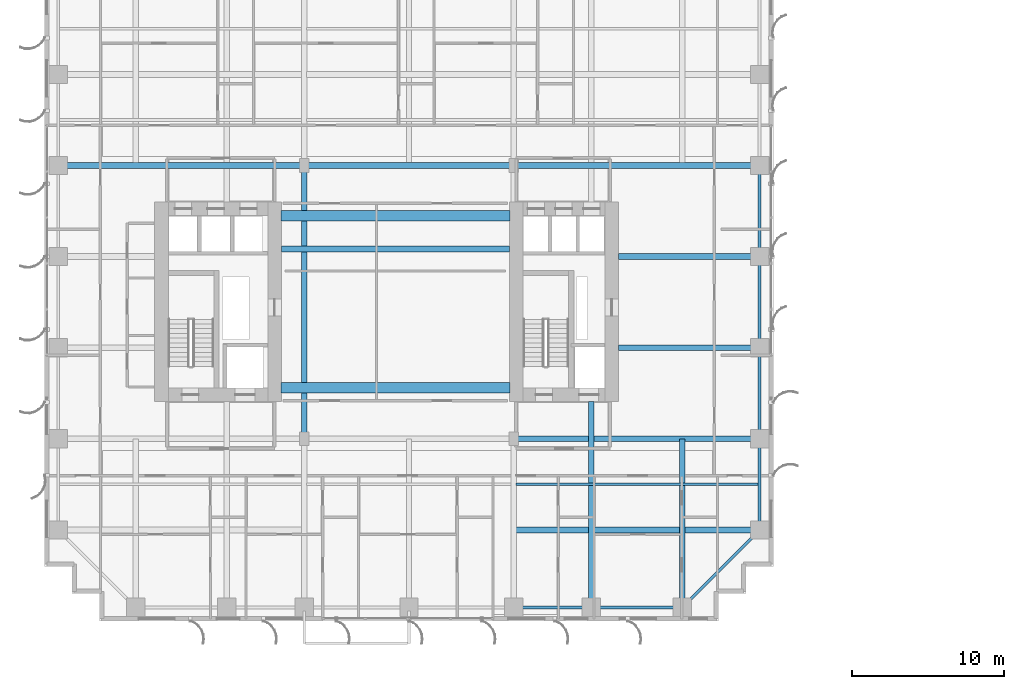
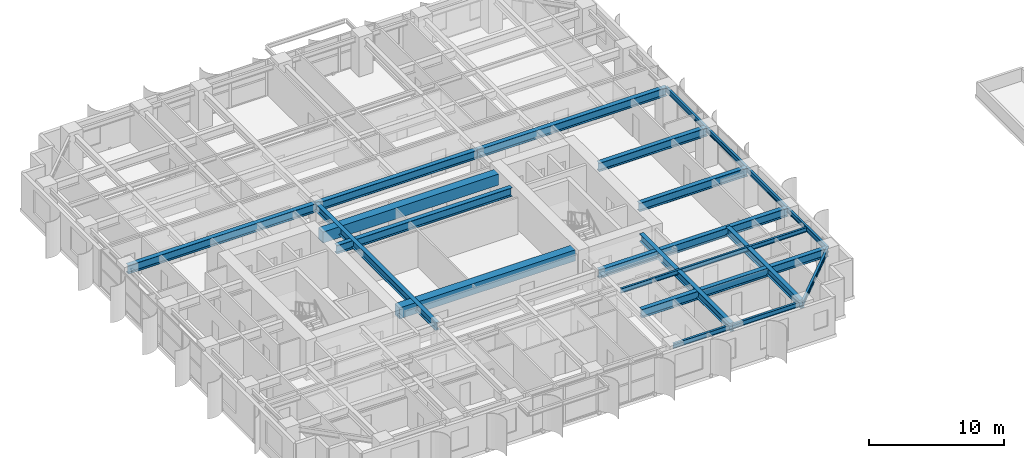
# One storey, part 6 of 26: 21 beams.
"""IFC4 building model written with IfcOpenShell, lengths in metres."""

from ifc_helpers import new_model, si_unit, direction, frame, origin, origin_2d, place, context, subcontext, project, spatial, rectangle, i_section, extrude, source, transform, mapped, material, material_profile, profile_set, type_object, element, save


model = new_model("IFC4")

# Units and contexts
model_context = context("Model", 3, precision=1e-05, world=origin(), true_north=direction((0.0, 1.0)))
body_context = subcontext(model_context, "Body", "Model", "MODEL_VIEW")
ifc_project = project(units=[si_unit("LENGTHUNIT", "METRE"), si_unit("AREAUNIT", "SQUARE_METRE"), si_unit("VOLUMEUNIT", "CUBIC_METRE"), si_unit("PLANEANGLEUNIT", "RADIAN"), si_unit("MASSUNIT", "GRAM", prefix="KILO")], contexts=[model_context])

# Site, building, storey
site_placement = place(None, origin())
site = spatial("IfcSite", under=ifc_project, at=site_placement, CompositionType="ELEMENT")
building_placement = place(site_placement, origin())
building = spatial("IfcBuilding", under=site, at=building_placement, Name="Khoralis Quay Care Tower", CompositionType="ELEMENT")
storey_placement = place(building_placement, frame((0.0, 0.0, 26.10009765625)))
storey = spatial("IfcBuildingStorey", under=building, at=storey_placement, Name="L06", CompositionType="ELEMENT", Elevation=26.10009765625)

# Beams
ifc_material_1 = material(Name="Concrete C80/95", Category="concrete")
ifc_material_profile_1 = material_profile(ifc_material_1, rectangle(XDim=0.699951171875, YDim=1.0, at=origin_2d()), Name="Concrete C80/95")
ifc_profile_set_1 = profile_set([ifc_material_profile_1], Name="Concrete C80/95")
beam_type_1 = type_object("IfcBeamType", Name="CB-RC700X1000", PredefinedType="LINTEL", material=ifc_profile_set_1)
shared_shape_1 = source(origin(), body_context, "Body", "SweptSolid", [
    extrude(rectangle(XDim=0.699951171875, YDim=1.0, at=origin_2d()), origin(), (0.0, 0.0, 1.0), 15.079833984375),
])
for number, where, z_axis, x_axis, name in (
    (1, (15.570068359375, 15.35009765625, 2.81982421875), (1.0, 0.0, 0.0), (0.0, 1.0, 0.0), "L06 South Core Coupling Lintel"),
    (2, (15.570068359375, 26.699951171875, 2.81982421875), (1.0, 0.0, 0.0), (0.0, 1.0, 0.0), "L06 North Core Coupling Lintel"),
):
    element("IfcBeam", number, at=place(storey_placement, frame(where, z_axis=z_axis, x_axis=x_axis)), inside=storey, type_object=beam_type_1, Name=name, PredefinedType="LINTEL", context=body_context, shape_type="MappedRepresentation", body=[
        mapped(shared_shape_1, transform((0.0, 0.0, 0.0), scale=1.0)),
    ])
ifc_material_2 = material(Name="Steel S355", Category="steel")
ifc_material_profile_2 = material_profile(ifc_material_2, i_section(OverallWidth=0.18994140625, OverallDepth=0.449951171875, WebThickness=0.009521484375, FlangeThickness=0.0146484375, FilletRadius=0.02099609375, at=origin_2d()), Name="Steel S355")
ifc_profile_set_2 = profile_set([ifc_material_profile_2], Name="Steel S355")
beam_type_2 = type_object("IfcBeamType", Name="BM-IPE450", PredefinedType="SPANDREL", material=ifc_profile_set_2)
shared_shape_2 = source(origin(), body_context, "Body", "SweptSolid", [
    extrude(i_section(OverallWidth=0.18994140625, OverallDepth=0.449951171875, WebThickness=0.009521484375, FlangeThickness=0.0146484375, FilletRadius=0.02099609375, at=origin_2d()), origin(), (0.0, 0.0, 1.0), 6.0),
])
for number, where, z_axis, x_axis, name in (
    (3, (36.0, 0.89990234375, 3.094970703125), (1.0, 0.0, 0.0), (0.0, 1.0, 0.0), "BM-TSP-L06-06"),
    (4, (47.10009765625, 6.0, 3.094970703125), (0.0, 1.0, 0.0), (-1.0, 0.0, 0.0), "BM-TSP-L06-19"),
    (5, (47.10009765625, 12.0, 3.094970703125), (0.0, 1.0, 0.0), (-1.0, 0.0, 0.0), "BM-TSP-L06-20"),
    (6, (47.10009765625, 18.0, 3.094970703125), (0.0, 1.0, 0.0), (-1.0, 0.0, 0.0), "BM-TSP-L06-21"),
    (7, (47.10009765625, 24.0, 3.094970703125), (0.0, 1.0, 0.0), (-1.0, 0.0, 0.0), "BM-TSP-L06-22"),
):
    element("IfcBeam", number, at=place(storey_placement, frame(where, z_axis=z_axis, x_axis=x_axis)), inside=storey, type_object=beam_type_2, Name=name, PredefinedType="SPANDREL", context=body_context, shape_type="MappedRepresentation", body=[
        mapped(shared_shape_2, transform((0.0, 0.0, 0.0), scale=1.0)),
    ])
shared_shape_3 = source(origin(), body_context, "Body", "SweptSolid", [
    extrude(i_section(OverallWidth=0.18994140625, OverallDepth=0.449951171875, WebThickness=0.009521484375, FlangeThickness=0.0146484375, FilletRadius=0.02099609375, at=origin_2d()), origin(), (0.0, 0.0, 1.0), 5.10009765625),
])
beam_1_placement = place(storey_placement, frame((30.89990234375, 0.89990234375, 3.094970703125), z_axis=(1.0, 0.0, 0.0), x_axis=(0.0, 1.0, 0.0)))
element("IfcBeam", 8, at=beam_1_placement, inside=storey, type_object=beam_type_2, Name="BM-TSP-L06-05", PredefinedType="SPANDREL", context=body_context, shape_type="MappedRepresentation", body=[
    mapped(shared_shape_3, transform((0.0, 0.0, 0.0), scale=1.0)),
])
shared_shape_4 = source(origin(), body_context, "Body", "SweptSolid", [
    extrude(i_section(OverallWidth=0.18994140625, OverallDepth=0.449951171875, WebThickness=0.009521484375, FlangeThickness=0.0146484375, FilletRadius=0.02099609375, at=origin_2d()), origin(), (0.0, 0.0, 1.0), 7.212646484375),
])
beam_2_placement = place(storey_placement, frame((42.0, 0.89990234375, 3.094970703125), z_axis=(0.707106781187, 0.707106781187, 0.0), x_axis=(-0.707106781187, 0.707106781187, 0.0)))
element("IfcBeam", 9, at=beam_2_placement, inside=storey, type_object=beam_type_2, Name="BM-TCR-L06-26", PredefinedType="SPANDREL", context=body_context, shape_type="MappedRepresentation", body=[
    mapped(shared_shape_4, transform((0.0, 0.0, 0.0), scale=1.0)),
])
ifc_material_profile_3 = material_profile(ifc_material_2, i_section(OverallWidth=0.381103515625, OverallDepth=0.77294921875, WebThickness=0.0166015625, FlangeThickness=0.027587890625, FilletRadius=0.02197265625, at=origin_2d()), Name="Steel S355")
ifc_profile_set_3 = profile_set([ifc_material_profile_3], Name="Steel S355")
beam_type_3 = type_object("IfcBeamType", Name="BM-W760X257", PredefinedType="BEAM", material=ifc_profile_set_3)
shared_shape_5 = source(origin(), body_context, "Body", "SweptSolid", [
    extrude(i_section(OverallWidth=0.381103515625, OverallDepth=0.77294921875, WebThickness=0.0166015625, FlangeThickness=0.027587890625, FilletRadius=0.02197265625, at=origin_2d()), origin(), (0.0, 0.0, 1.0), 16.03466796875),
])
beam_3_placement = place(storey_placement, frame((31.0654296875, 6.0, 2.933349609375), z_axis=(1.0, 0.0, 0.0), x_axis=(0.0, 1.0, 0.0)))
element("IfcBeam", 10, at=beam_3_placement, inside=storey, type_object=beam_type_3, Name="BM-TGXE-L06-60", PredefinedType="BEAM", context=body_context, shape_type="MappedRepresentation", body=[
    mapped(shared_shape_5, transform((0.0, 0.0, 0.0), scale=1.0)),
])
shared_shape_6 = source(origin(), body_context, "Body", "SweptSolid", [
    extrude(i_section(OverallWidth=0.381103515625, OverallDepth=0.77294921875, WebThickness=0.0166015625, FlangeThickness=0.027587890625, FilletRadius=0.02197265625, at=origin_2d()), origin(), (0.0, 0.0, 1.0), 16.2001953125),
])
for number, where, z_axis, x_axis, name in (
    (11, (0.89990234375, 30.0, 2.933349609375), (1.0, 0.0, 0.0), (0.0, 1.0, 0.0), "BM-TGXW-L06-300"),
    (12, (30.89990234375, 12.0, 2.933349609375), (1.0, 0.0, 0.0), (0.0, 1.0, 0.0), "BM-TGXE-L06-120"),
    (13, (30.89990234375, 30.0, 2.933349609375), (1.0, 0.0, 0.0), (0.0, 1.0, 0.0), "BM-TGXE-L06-300"),
):
    element("IfcBeam", number, at=place(storey_placement, frame(where, z_axis=z_axis, x_axis=x_axis)), inside=storey, type_object=beam_type_3, Name=name, PredefinedType="BEAM", context=body_context, shape_type="MappedRepresentation", body=[
        mapped(shared_shape_6, transform((0.0, 0.0, 0.0), scale=1.0)),
    ])
shared_shape_7 = source(origin(), body_context, "Body", "SweptSolid", [
    extrude(i_section(OverallWidth=0.381103515625, OverallDepth=0.77294921875, WebThickness=0.0166015625, FlangeThickness=0.027587890625, FilletRadius=0.02197265625, at=origin_2d()), origin(), (0.0, 0.0, 1.0), 9.302001953125),
])
for number, where, z_axis, x_axis, name in (
    (14, (37.798095703125, 18.0, 2.933349609375), (1.0, 0.0, 0.0), (0.0, 1.0, 0.0), "BM-TGXE-L06-180"),
    (15, (37.798095703125, 24.0, 2.933349609375), (1.0, 0.0, 0.0), (0.0, 1.0, 0.0), "BM-TGXE-L06-240"),
):
    element("IfcBeam", number, at=place(storey_placement, frame(where, z_axis=z_axis, x_axis=x_axis)), inside=storey, type_object=beam_type_3, Name=name, PredefinedType="BEAM", context=body_context, shape_type="MappedRepresentation", body=[
        mapped(shared_shape_7, transform((0.0, 0.0, 0.0), scale=1.0)),
    ])
shared_shape_8 = source(origin(), body_context, "Body", "SweptSolid", [
    extrude(i_section(OverallWidth=0.381103515625, OverallDepth=0.77294921875, WebThickness=0.0166015625, FlangeThickness=0.027587890625, FilletRadius=0.02197265625, at=origin_2d()), origin(), (0.0, 0.0, 1.0), 13.7998046875),
])
beam_4_placement = place(storey_placement, frame((17.10009765625, 30.0, 2.933349609375), z_axis=(1.0, 0.0, 0.0), x_axis=(0.0, 1.0, 0.0)))
element("IfcBeam", 16, at=beam_4_placement, inside=storey, type_object=beam_type_3, Name="BM-TGCC-L06-300", PredefinedType="BEAM", context=body_context, shape_type="MappedRepresentation", body=[
    mapped(shared_shape_8, transform((0.0, 0.0, 0.0), scale=1.0)),
])
shared_shape_9 = source(origin(), body_context, "Body", "SweptSolid", [
    extrude(i_section(OverallWidth=0.381103515625, OverallDepth=0.77294921875, WebThickness=0.0166015625, FlangeThickness=0.027587890625, FilletRadius=0.02197265625, at=origin_2d()), origin(), (0.0, 0.0, 1.0), 15.024169921875),
])
beam_5_placement = place(storey_placement, frame((15.597900390625, 24.5, 2.933349609375), z_axis=(1.0, 0.0, 0.0), x_axis=(0.0, 1.0, 0.0)))
element("IfcBeam", 17, at=beam_5_placement, inside=storey, type_object=beam_type_3, Name="BM-TGCC-L06-245", PredefinedType="BEAM", context=body_context, shape_type="MappedRepresentation", body=[
    mapped(shared_shape_9, transform((0.0, 0.0, 0.0), scale=1.0)),
])
ifc_material_profile_4 = material_profile(ifc_material_2, i_section(OverallWidth=0.35498046875, OverallDepth=0.695068359375, WebThickness=0.015380859375, FlangeThickness=0.02490234375, FilletRadius=0.02001953125, at=origin_2d()), Name="Steel S355")
ifc_profile_set_4 = profile_set([ifc_material_profile_4], Name="Steel S355")
beam_type_4 = type_object("IfcBeamType", Name="BM-W690X217", PredefinedType="BEAM", material=ifc_profile_set_4)
shared_shape_10 = source(origin(), body_context, "Body", "SweptSolid", [
    extrude(i_section(OverallWidth=0.35498046875, OverallDepth=0.695068359375, WebThickness=0.015380859375, FlangeThickness=0.02490234375, FilletRadius=0.02001953125, at=origin_2d()), origin(), (0.0, 0.0, 1.0), 11.10009765625),
])
beam_6_placement = place(storey_placement, frame((42.0, 0.89990234375, 2.972412109375), z_axis=(0.0, 1.0, 0.0), x_axis=(-1.0, 0.0, 0.0)))
element("IfcBeam", 18, at=beam_6_placement, inside=storey, type_object=beam_type_4, Name="BM-TGYS-L06-420", PredefinedType="BEAM", context=body_context, shape_type="MappedRepresentation", body=[
    mapped(shared_shape_10, transform((0.0, 0.0, 0.0), scale=1.0)),
])
shared_shape_11 = source(origin(), body_context, "Body", "SweptSolid", [
    extrude(i_section(OverallWidth=0.35498046875, OverallDepth=0.695068359375, WebThickness=0.015380859375, FlangeThickness=0.02490234375, FilletRadius=0.02001953125, at=origin_2d()), origin(), (0.0, 0.0, 1.0), 13.552001953125),
])
beam_7_placement = place(storey_placement, frame((36.0, 0.89990234375, 2.972412109375), z_axis=(0.0, 1.0, 0.0), x_axis=(-1.0, 0.0, 0.0)))
element("IfcBeam", 19, at=beam_7_placement, inside=storey, type_object=beam_type_4, Name="BM-TGYS-L06-360", PredefinedType="BEAM", context=body_context, shape_type="MappedRepresentation", body=[
    mapped(shared_shape_11, transform((0.0, 0.0, 0.0), scale=1.0)),
])
shared_shape_12 = source(origin(), body_context, "Body", "SweptSolid", [
    extrude(i_section(OverallWidth=0.35498046875, OverallDepth=0.695068359375, WebThickness=0.015380859375, FlangeThickness=0.02490234375, FilletRadius=0.02001953125, at=origin_2d()), origin(), (0.0, 0.0, 1.0), 18.0),
])
beam_8_placement = place(storey_placement, frame((17.10009765625, 12.0, 2.972412109375), z_axis=(0.0, 1.0, 0.0), x_axis=(-1.0, 0.0, 0.0)))
element("IfcBeam", 20, at=beam_8_placement, inside=storey, type_object=beam_type_4, Name="BM-TGSW-L06", PredefinedType="BEAM", context=body_context, shape_type="MappedRepresentation", body=[
    mapped(shared_shape_12, transform((0.0, 0.0, 0.0), scale=1.0)),
])
ifc_material_profile_5 = material_profile(ifc_material_2, i_section(OverallWidth=0.177978515625, OverallDepth=0.406982421875, WebThickness=0.0078125, FlangeThickness=0.0126953125, FilletRadius=0.012939453125, at=origin_2d()), Name="Steel S355")
ifc_profile_set_5 = profile_set([ifc_material_profile_5], Name="Steel S355")
beam_type_5 = type_object("IfcBeamType", Name="BM-W410X60", PredefinedType="JOIST", material=ifc_profile_set_5)
shared_shape_13 = source(origin(), body_context, "Body", "SweptSolid", [
    extrude(i_section(OverallWidth=0.177978515625, OverallDepth=0.406982421875, WebThickness=0.0078125, FlangeThickness=0.0126953125, FilletRadius=0.012939453125, at=origin_2d()), origin(), (0.0, 0.0, 1.0), 15.95361328125),
])
beam_9_placement = place(storey_placement, frame((31.0654296875, 9.0, 3.116455078125), z_axis=(1.0, 0.0, 0.0), x_axis=(0.0, 1.0, 0.0)))
element("IfcBeam", 21, at=beam_9_placement, inside=storey, type_object=beam_type_5, Name="BM-TJS-L06-30", PredefinedType="JOIST", context=body_context, shape_type="MappedRepresentation", body=[
    mapped(shared_shape_13, transform((0.0, 0.0, 0.0), scale=1.0)),
])

save(model, "model.ifc")
